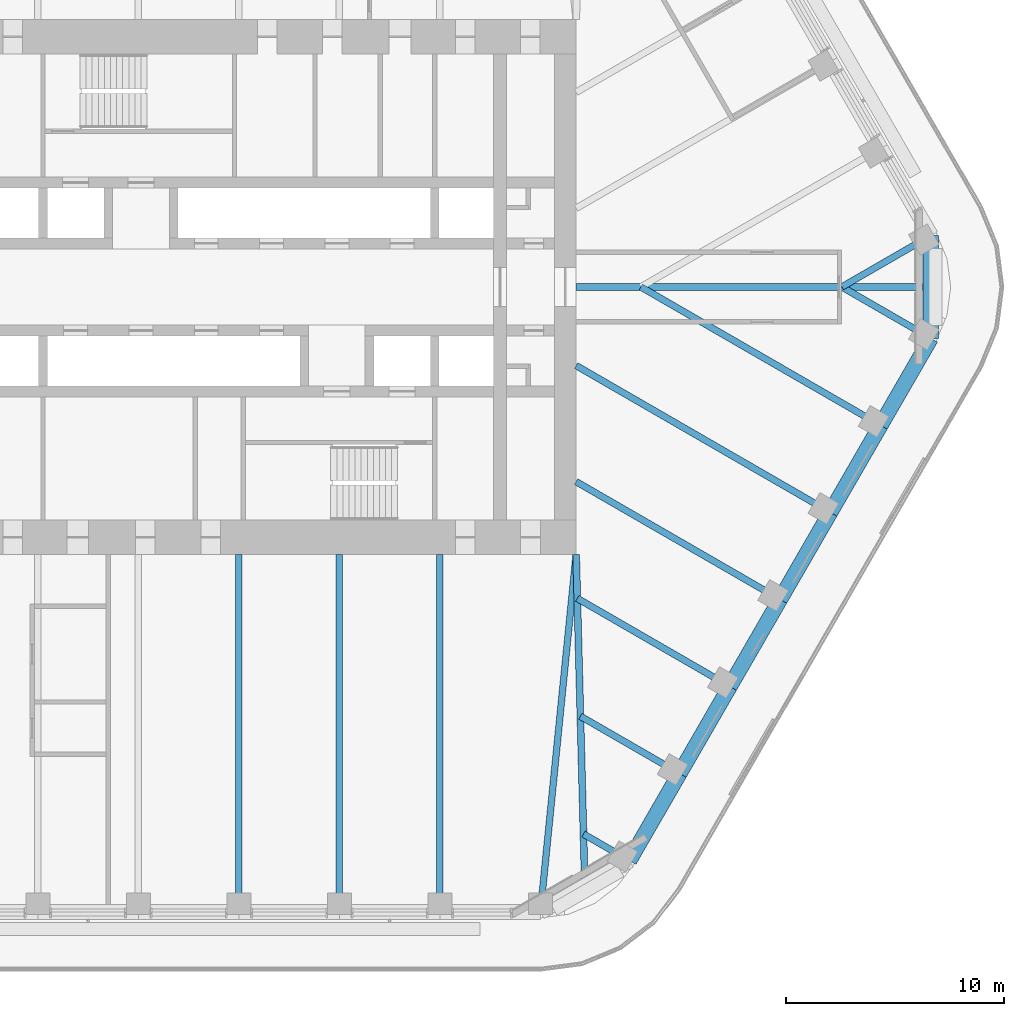
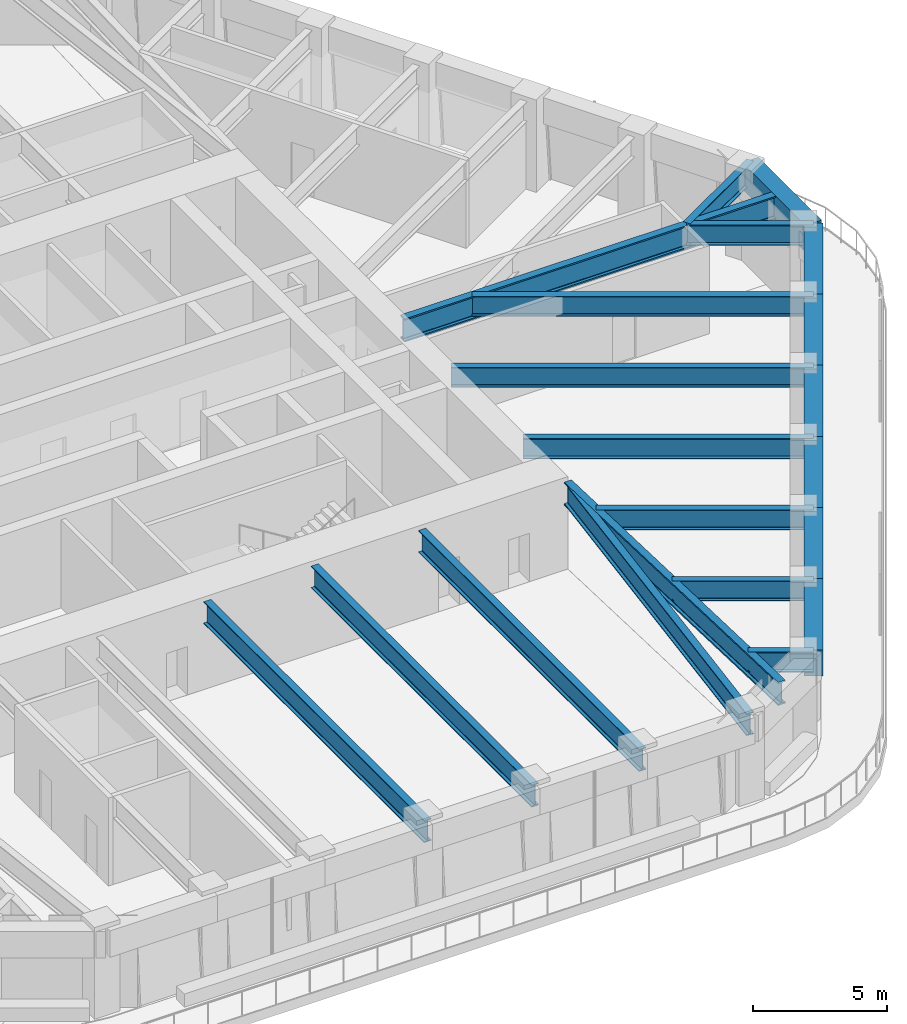
# One storey, part 5 of 20: 21 beams.
"""IFC4 building model written with IfcOpenShell, lengths in metres."""

from ifc_helpers import new_model, si_unit, direction, frame, origin, origin_2d, place, context, subcontext, project, spatial, rectangle, i_section, extrude, material, material_profile, profile_set, type_object, element, save


model = new_model("IFC4")

# Units and contexts
model_context = context("Model", 3, precision=1e-05, world=origin(), true_north=direction((0.0, 1.0)))
body_context = subcontext(model_context, "Body", "Model", "MODEL_VIEW")
ifc_project = project(units=[si_unit("LENGTHUNIT", "METRE"), si_unit("AREAUNIT", "SQUARE_METRE"), si_unit("VOLUMEUNIT", "CUBIC_METRE"), si_unit("PLANEANGLEUNIT", "RADIAN"), si_unit("MASSUNIT", "GRAM", prefix="KILO")], contexts=[model_context])

# Site, building, storey
site_placement = place(None, origin())
site = spatial("IfcSite", under=ifc_project, at=site_placement, CompositionType="ELEMENT")
building_placement = place(site_placement, origin())
building = spatial("IfcBuilding", under=site, at=building_placement, Name="Tarfa Lantern Tower", CompositionType="ELEMENT")
storey_placement = place(building_placement, frame((0.0, 0.0, 291.10009765625)))
storey = spatial("IfcBuildingStorey", under=building, at=storey_placement, Name="L66", CompositionType="ELEMENT", Elevation=291.10009765625)

# Beams
ifc_material_1 = material(Name="Concrete C80/95", Category="concrete")
ifc_material_profile_1 = material_profile(ifc_material_1, rectangle(XDim=0.699951171875, YDim=1.199951171875, at=origin_2d()), Name="RC 700x1200")
ifc_profile_set_1 = profile_set([ifc_material_profile_1], Name="Concrete C80/95")
beam_type_1 = type_object("IfcBeamType", Name="EB3 RC 700x1200", PredefinedType="SPANDREL", material=ifc_profile_set_1)
for number, where, z_axis, x_axis, name in (
    (1, (17.944091796875, -26.360107421875, 3.39990234375), (0.499987836815, 0.866032426089, 0.0), (-0.866032426089, 0.499987836815, 0.0), "Edge beam SE0"),
    (2, (20.25341796875, -22.360107421875, 3.39990234375), (0.499987836815, 0.866032426089, 0.0), (-0.866032426089, 0.499987836815, 0.0), "Edge beam SE1"),
):
    element("IfcBeam", number, at=place(storey_placement, frame(where, z_axis=z_axis, x_axis=x_axis)), inside=storey, type_object=beam_type_1, Name=name, PredefinedType="SPANDREL", context=body_context, shape_type="SweptSolid", body=[
        extrude(rectangle(XDim=0.699951171875, YDim=1.199951171875, at=origin_2d()), origin(), (0.0, 0.0, 1.0), 4.61865234375),
    ])
beam_1_placement = place(storey_placement, frame((22.562744140625, -18.360107421875, 3.39990234375), z_axis=(0.500027479704, 0.866009537788, 0.0), x_axis=(-0.866009537788, 0.500027479704, 0.0)))
element("IfcBeam", 3, at=beam_1_placement, inside=storey, type_object=beam_type_1, Name="Edge beam SE2", PredefinedType="SPANDREL", context=body_context, shape_type="SweptSolid", body=[
    extrude(rectangle(XDim=0.699951171875, YDim=1.199951171875, at=origin_2d()), origin(), (0.0, 0.0, 1.0), 4.618896484375),
])
for number, where, z_axis, x_axis, name in (
    (4, (24.872314453125, -14.360107421875, 3.39990234375), (0.499987836815, 0.866032426089, 0.0), (-0.866032426089, 0.499987836815, 0.0), "Edge beam SE3"),
    (5, (27.181640625, -10.360107421875, 3.39990234375), (0.499987836815, 0.866032426089, 0.0), (-0.866032426089, 0.499987836815, 0.0), "Edge beam SE4"),
):
    element("IfcBeam", number, at=place(storey_placement, frame(where, z_axis=z_axis, x_axis=x_axis)), inside=storey, type_object=beam_type_1, Name=name, PredefinedType="SPANDREL", context=body_context, shape_type="SweptSolid", body=[
        extrude(rectangle(XDim=0.699951171875, YDim=1.199951171875, at=origin_2d()), origin(), (0.0, 0.0, 1.0), 4.61865234375),
    ])
beam_2_placement = place(storey_placement, frame((29.490966796875, -6.360107421875, 3.39990234375), z_axis=(0.500027479704, 0.866009537788, 0.0), x_axis=(-0.866009537788, 0.500027479704, 0.0)))
element("IfcBeam", 6, at=beam_2_placement, inside=storey, type_object=beam_type_1, Name="Edge beam SE5", PredefinedType="SPANDREL", context=body_context, shape_type="SweptSolid", body=[
    extrude(rectangle(XDim=0.699951171875, YDim=1.199951171875, at=origin_2d()), origin(), (0.0, 0.0, 1.0), 4.618896484375),
])
beam_3_placement = place(storey_placement, frame((31.800537109375, -2.360107421875, 3.39990234375), z_axis=(0.0, 1.0, 0.0), x_axis=(-1.0, 0.0, 0.0)))
element("IfcBeam", 7, at=beam_3_placement, inside=storey, type_object=beam_type_1, Name="Edge beam SE6", PredefinedType="SPANDREL", context=body_context, shape_type="SweptSolid", body=[
    extrude(rectangle(XDim=0.699951171875, YDim=1.199951171875, at=origin_2d()), origin(), (0.0, 0.0, 1.0), 4.72021484375),
])
ifc_material_2 = material(Name="Steel S460M", Category="steel")
ifc_material_profile_2 = material_profile(ifc_material_2, i_section(OverallWidth=0.302001953125, OverallDepth=1.008056640625, WebThickness=0.02099609375, FlangeThickness=0.0400390625, FilletRadius=0.030029296875, at=origin_2d()), Name="UB1016x305x349")
ifc_profile_set_2 = profile_set([ifc_material_profile_2], Name="Steel S460M")
beam_type_2 = type_object("IfcBeamType", Name="UB1016x305x349", PredefinedType="BEAM", material=ifc_profile_set_2)
for number, where, z_axis, x_axis, name in (
    (8, (0.0, -28.719970703125, 3.495849609375), (0.0, 1.0, 0.0), (-1.0, 0.0, 0.0), "Floor beam S3"),
    (9, (4.618896484375, -28.719970703125, 3.495849609375), (0.0, 1.0, 0.0), (-1.0, 0.0, 0.0), "Floor beam S4"),
    (10, (9.237548828125, -28.719970703125, 3.495849609375), (0.0, 1.0, 0.0), (-1.0, 0.0, 0.0), "Floor beam S5"),
):
    element("IfcBeam", number, at=place(storey_placement, frame(where, z_axis=z_axis, x_axis=x_axis)), inside=storey, type_object=beam_type_2, Name=name, PredefinedType="BEAM", context=body_context, shape_type="SweptSolid", body=[
        extrude(i_section(OverallWidth=0.302001953125, OverallDepth=1.008056640625, WebThickness=0.02099609375, FlangeThickness=0.0400390625, FilletRadius=0.030029296875, at=origin_2d()), origin(), (0.0, 0.0, 1.0), 16.419921875),
    ])
beam_4_placement = place(storey_placement, frame((13.8564453125, -28.719970703125, 3.495849609375), z_axis=(0.099597466746, 0.995027810977, 0.0), x_axis=(-0.995027810977, 0.099597466746, 0.0)))
element("IfcBeam", 11, at=beam_4_placement, inside=storey, type_object=beam_type_2, Name="Floor beam S6", PredefinedType="BEAM", context=body_context, shape_type="SweptSolid", body=[
    extrude(i_section(OverallWidth=0.302001953125, OverallDepth=1.008056640625, WebThickness=0.02099609375, FlangeThickness=0.0400390625, FilletRadius=0.030029296875, at=origin_2d()), origin(), (0.0, 0.0, 1.0), 16.501953125),
])
ifc_material_profile_3 = material_profile(ifc_material_2, i_section(OverallWidth=0.314208984375, OverallDepth=1.055908203125, WebThickness=0.035888671875, FlangeThickness=0.06396484375, FilletRadius=0.030029296875, at=origin_2d()), Name="UB1016x305x584")
ifc_profile_set_3 = profile_set([ifc_material_profile_3], Name="Steel S460M")
beam_type_3 = type_object("IfcBeamType", Name="UB1016x305x584", PredefinedType="BEAM", material=ifc_profile_set_3)
beam_5_placement = place(storey_placement, frame((15.5, 0.0, 3.471923828125), z_axis=(1.0, 0.0, 0.0), x_axis=(0.0, 1.0, 0.0)))
element("IfcBeam", 12, at=beam_5_placement, inside=storey, type_object=beam_type_3, Name="Hip girder E", PredefinedType="BEAM", context=body_context, shape_type="SweptSolid", body=[
    extrude(i_section(OverallWidth=0.314208984375, OverallDepth=1.055908203125, WebThickness=0.035888671875, FlangeThickness=0.06396484375, FilletRadius=0.030029296875, at=origin_2d()), origin(), (0.0, 0.0, 1.0), 16.300537109375),
])
beam_6_placement = place(storey_placement, frame((15.5, -12.300048828125, 3.471923828125), z_axis=(0.026247301989, -0.999655480222, 0.0), x_axis=(0.999655480222, 0.026247301989, 0.0)))
element("IfcBeam", 13, at=beam_6_placement, inside=storey, type_object=beam_type_3, Name="Hip girder SE", PredefinedType="BEAM", context=body_context, shape_type="SweptSolid", body=[
    extrude(i_section(OverallWidth=0.314208984375, OverallDepth=1.055908203125, WebThickness=0.035888671875, FlangeThickness=0.06396484375, FilletRadius=0.030029296875, at=origin_2d()), origin(), (0.0, 0.0, 1.0), 15.245361328125),
])
ifc_material_profile_4 = material_profile(ifc_material_2, i_section(OverallWidth=0.305419921875, OverallDepth=0.91845703125, WebThickness=0.017333984375, FlangeThickness=0.02783203125, FilletRadius=0.01904296875, at=origin_2d()), Name="UB914x305x253")
ifc_profile_set_4 = profile_set([ifc_material_profile_4], Name="Steel S460M")
beam_type_4 = type_object("IfcBeamType", Name="UB914x305x253", PredefinedType="BEAM", material=ifc_profile_set_4)
beam_7_placement = place(storey_placement, frame((31.800537109375, 2.360107421875, 3.540771484375), z_axis=(-0.866015897305, -0.500016465344, 0.0), x_axis=(0.500016465344, -0.866015897305, 0.0)))
element("IfcBeam", 14, at=beam_7_placement, inside=storey, type_object=beam_type_4, Name="Floor beam NE0", PredefinedType="BEAM", context=body_context, shape_type="SweptSolid", body=[
    extrude(i_section(OverallWidth=0.305419921875, OverallDepth=0.91845703125, WebThickness=0.017333984375, FlangeThickness=0.02783203125, FilletRadius=0.01904296875, at=origin_2d()), origin(), (0.0, 0.0, 1.0), 4.719970703125),
])
beam_8_placement = place(storey_placement, frame((17.944091796875, -26.360107421875, 3.540771484375), z_axis=(-0.865980009423, 0.5000786171, 0.0), x_axis=(-0.5000786171, -0.865980009423, 0.0)))
element("IfcBeam", 15, at=beam_8_placement, inside=storey, type_object=beam_type_4, Name="Floor beam SE0", PredefinedType="BEAM", context=body_context, shape_type="SweptSolid", body=[
    extrude(i_section(OverallWidth=0.305419921875, OverallDepth=0.91845703125, WebThickness=0.017333984375, FlangeThickness=0.02783203125, FilletRadius=0.01904296875, at=origin_2d()), origin(), (0.0, 0.0, 1.0), 2.4326171875),
])
beam_9_placement = place(storey_placement, frame((20.25341796875, -22.360107421875, 3.540771484375), z_axis=(-0.86601951648, 0.500010196972, 0.0), x_axis=(-0.500010196972, -0.86601951648, 0.0)))
element("IfcBeam", 16, at=beam_9_placement, inside=storey, type_object=beam_type_4, Name="Floor beam SE1", PredefinedType="BEAM", context=body_context, shape_type="SweptSolid", body=[
    extrude(i_section(OverallWidth=0.305419921875, OverallDepth=0.91845703125, WebThickness=0.017333984375, FlangeThickness=0.02783203125, FilletRadius=0.01904296875, at=origin_2d()), origin(), (0.0, 0.0, 1.0), 5.263671875),
])
beam_10_placement = place(storey_placement, frame((22.562744140625, -18.360107421875, 3.540771484375), z_axis=(-0.866010787764, 0.500025314835, 0.0), x_axis=(-0.500025314835, -0.866010787764, 0.0)))
element("IfcBeam", 17, at=beam_10_placement, inside=storey, type_object=beam_type_4, Name="Floor beam SE2", PredefinedType="BEAM", context=body_context, shape_type="SweptSolid", body=[
    extrude(i_section(OverallWidth=0.305419921875, OverallDepth=0.91845703125, WebThickness=0.017333984375, FlangeThickness=0.02783203125, FilletRadius=0.01904296875, at=origin_2d()), origin(), (0.0, 0.0, 1.0), 8.09423828125),
])
beam_11_placement = place(storey_placement, frame((24.872314453125, -14.360107421875, 3.540771484375), z_axis=(-0.8660244219, 0.500001700669, 0.0), x_axis=(-0.500001700669, -0.8660244219, 0.0)))
element("IfcBeam", 18, at=beam_11_placement, inside=storey, type_object=beam_type_4, Name="Floor beam SE3", PredefinedType="BEAM", context=body_context, shape_type="SweptSolid", body=[
    extrude(i_section(OverallWidth=0.305419921875, OverallDepth=0.91845703125, WebThickness=0.017333984375, FlangeThickness=0.02783203125, FilletRadius=0.01904296875, at=origin_2d()), origin(), (0.0, 0.0, 1.0), 10.822265625),
])
beam_12_placement = place(storey_placement, frame((27.181640625, -10.360107421875, 3.540771484375), z_axis=(-0.866018002818, 0.500012818631, 0.0), x_axis=(-0.500012818631, -0.866018002818, 0.0)))
element("IfcBeam", 19, at=beam_12_placement, inside=storey, type_object=beam_type_4, Name="Floor beam SE4", PredefinedType="BEAM", context=body_context, shape_type="SweptSolid", body=[
    extrude(i_section(OverallWidth=0.305419921875, OverallDepth=0.91845703125, WebThickness=0.017333984375, FlangeThickness=0.02783203125, FilletRadius=0.01904296875, at=origin_2d()), origin(), (0.0, 0.0, 1.0), 13.489013671875),
])
beam_13_placement = place(storey_placement, frame((29.490966796875, -6.360107421875, 3.540771484375), z_axis=(-0.866022258038, 0.500005448553, 0.0), x_axis=(-0.500005448553, -0.866022258038, 0.0)))
element("IfcBeam", 20, at=beam_13_placement, inside=storey, type_object=beam_type_4, Name="Floor beam SE5", PredefinedType="BEAM", context=body_context, shape_type="SweptSolid", body=[
    extrude(i_section(OverallWidth=0.305419921875, OverallDepth=0.91845703125, WebThickness=0.017333984375, FlangeThickness=0.02783203125, FilletRadius=0.01904296875, at=origin_2d()), origin(), (0.0, 0.0, 1.0), 12.719970703125),
])
beam_14_placement = place(storey_placement, frame((31.800537109375, -2.360107421875, 3.540771484375), z_axis=(-0.866015897305, 0.500016465344, 0.0), x_axis=(-0.500016465344, -0.866015897305, 0.0)))
element("IfcBeam", 21, at=beam_14_placement, inside=storey, type_object=beam_type_4, Name="Floor beam SE6", PredefinedType="BEAM", context=body_context, shape_type="SweptSolid", body=[
    extrude(i_section(OverallWidth=0.305419921875, OverallDepth=0.91845703125, WebThickness=0.017333984375, FlangeThickness=0.02783203125, FilletRadius=0.01904296875, at=origin_2d()), origin(), (0.0, 0.0, 1.0), 4.719970703125),
])

save(model, "model.ifc")
